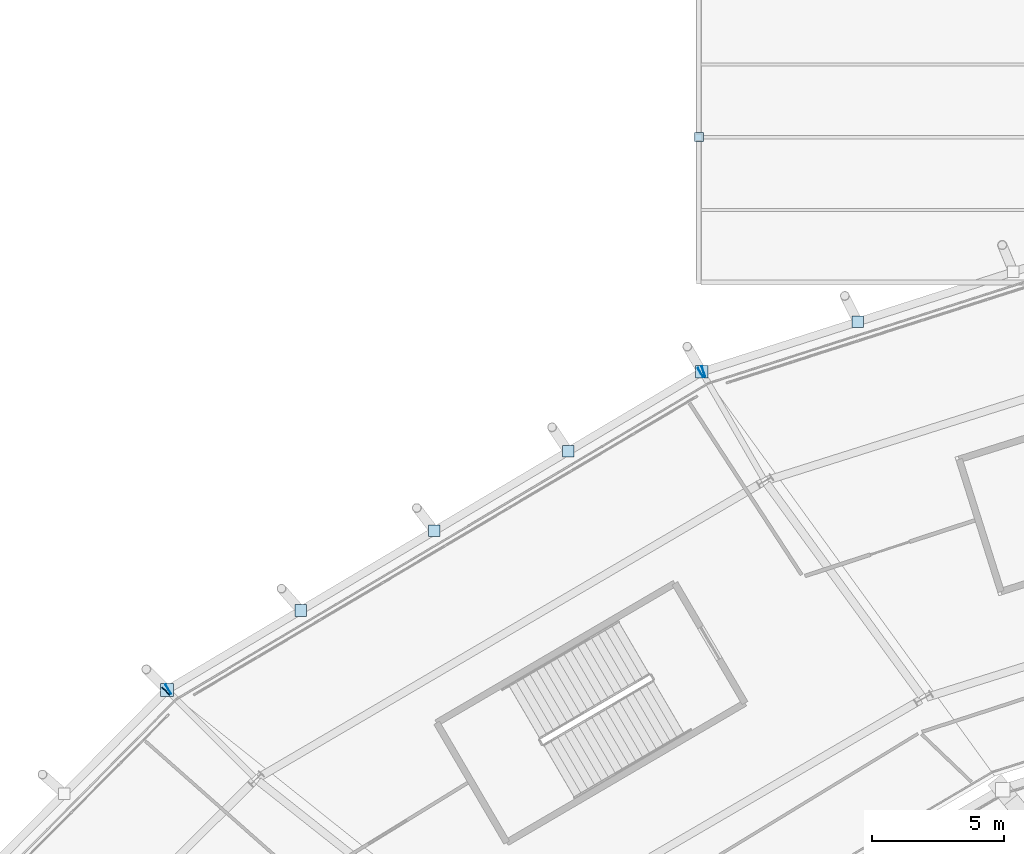
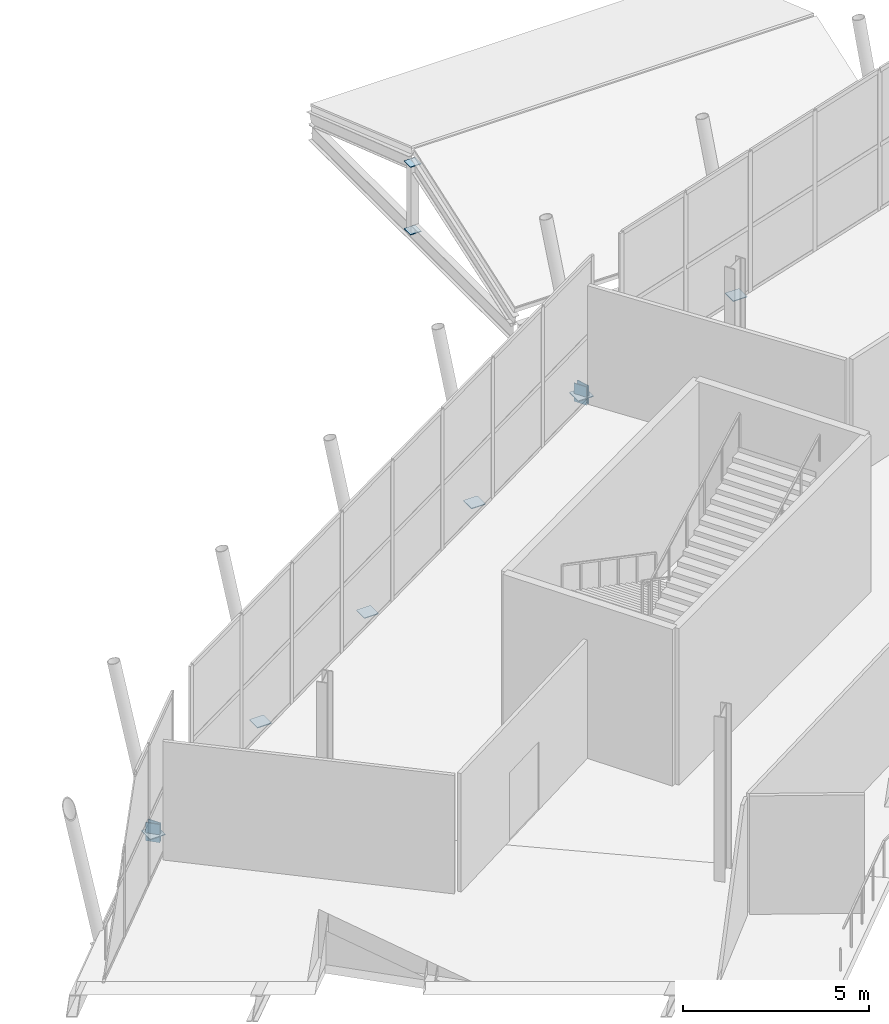
# One storey, part 89 of 126: 12 plates.
"""IFC4 building model written with IfcOpenShell, lengths in metres."""

from ifc_helpers import new_model, si_unit, direction, frame, origin, origin_2d, place, context, subcontext, project, spatial, rectangle, extrude, material, layer, layer_set, type_object, element, save


model = new_model("IFC4")

# Units and contexts
model_context = context("Model", 3, precision=1e-05, world=origin(), true_north=direction((0.0, 1.0)))
body_context = subcontext(model_context, "Body", "Model", "MODEL_VIEW")
ifc_project = project(units=[si_unit("LENGTHUNIT", "METRE"), si_unit("AREAUNIT", "SQUARE_METRE"), si_unit("VOLUMEUNIT", "CUBIC_METRE"), si_unit("PLANEANGLEUNIT", "RADIAN"), si_unit("MASSUNIT", "GRAM", prefix="KILO")], contexts=[model_context])

# Site, building, storey
site_placement = place(None, origin())
site = spatial("IfcSite", under=ifc_project, at=site_placement, CompositionType="ELEMENT")
building_placement = place(site_placement, origin())
building = spatial("IfcBuilding", under=site, at=building_placement, Name="Zlatoyarsky Gate Stadium", CompositionType="ELEMENT")
storey_placement = place(building_placement, frame((0.0, 0.0, 20.800048828125)))
storey = spatial("IfcBuildingStorey", under=building, at=storey_placement, Name="L04", CompositionType="ELEMENT", Elevation=20.800048828125)

# Plates
ifc_material = material(Name="Steel S355", Category="steel")
ifc_layer = layer(ifc_material, 0.02392578125)
ifc_layer_set = layer_set([ifc_layer], Name="Steel S355")
plate_type = type_object("IfcPlateType", Name="STEEL HOLLOW CHORD SPLICE SHEET 24", PredefinedType="SHEET", material=ifc_layer_set)
for number, where, z_axis, x_axis, name in (
    (1, (62.17236328125, 145.63671875, -0.85009765625), (0.0, 0.0, 1.0), (-0.952145539472, -0.305645009225, 0.0), "Hollow end cap ND-SP1 CAP-L04-SPD-07 B"),
    (2, (62.063720703125, 145.587646484375, -0.85009765625), (0.0, 0.0, 1.0), (-0.859509176685, -0.511120313815, 0.0), "Hollow end cap ND-SP1 CAP-L04-SPD-08 A"),
    (3, (41.918212890625, 133.60791015625, -0.85009765625), (0.0, 0.0, 1.0), (-0.859509176685, -0.511120313815, 0.0), "Hollow end cap ND-SP1 CAP-L04-SPD-08 B"),
):
    element("IfcPlate", number, at=place(storey_placement, frame(where, z_axis=z_axis, x_axis=x_axis)), inside=storey, type_object=plate_type, Name=name, PredefinedType="SHEET", context=body_context, shape_type="SweptSolid", body=[
        extrude(rectangle(XDim=0.02392578125, YDim=0.39990234375, at=origin_2d()), origin(), (0.0, 0.0, 1.0), 0.60009765625),
    ])
plate_1_placement = place(storey_placement, frame((62.115234375, 145.618408203125, -0.612060546875), z_axis=(0.0, 0.0, 1.0), x_axis=(1.0, 0.0, 0.0)))
element("IfcPlate", 4, at=plate_1_placement, inside=storey, type_object=plate_type, Name="Node closure plate ND-SP1 NCAP-L04-RSTR-08", PredefinedType="SHEET", context=body_context, shape_type="SweptSolid", body=[
    extrude(rectangle(XDim=0.47998046875, YDim=0.47998046875, at=origin_2d()), origin(), (0.0, 0.0, 1.0), 0.02392578125),
])
plate_2_placement = place(storey_placement, frame((41.82421875, 133.53466796875, -0.85009765625), z_axis=(0.0, 0.0, 1.0), x_axis=(-0.703590883794, -0.71060528301, 0.0)))
element("IfcPlate", 5, at=plate_2_placement, inside=storey, type_object=plate_type, Name="Hollow end cap ND-SP1 CAP-L04-SPD-09 A", PredefinedType="SHEET", context=body_context, shape_type="SweptSolid", body=[
    extrude(rectangle(XDim=0.02392578125, YDim=0.39990234375, at=origin_2d()), origin(), (0.0, 0.0, 1.0), 0.60009765625),
])
plate_3_placement = place(storey_placement, frame((41.866455078125, 133.5771484375, -0.612060546875), z_axis=(0.0, 0.0, 1.0), x_axis=(1.0, 0.0, 0.0)))
element("IfcPlate", 6, at=plate_3_placement, inside=storey, type_object=plate_type, Name="Node closure plate ND-SP1 NCAP-L04-RSTR-09", PredefinedType="SHEET", context=body_context, shape_type="SweptSolid", body=[
    extrude(rectangle(XDim=0.47998046875, YDim=0.47998046875, at=origin_2d()), origin(), (0.0, 0.0, 1.0), 0.02392578125),
])
for number, where, z_axis, x_axis, name in (
    (7, (68.01025390625, 147.5107421875, -0.56201171875), (0.0, 0.0, 1.0), (1.0, 0.0, 0.0), "Node closure plate ND-SP1 NCAP-RIB-07-3-2T"),
    (8, (57.052978515625, 142.608154296875, -0.56201171875), (0.0, 0.0, 1.0), (1.0, 0.0, 0.0), "Node closure plate ND-SP1 NCAP-RIB-08-1-2T"),
    (9, (51.990966796875, 139.597900390625, -0.56201171875), (0.0, 0.0, 1.0), (1.0, 0.0, 0.0), "Node closure plate ND-SP1 NCAP-RIB-08-2-2T"),
    (10, (46.9287109375, 136.58740234375, -0.56201171875), (0.0, 0.0, 1.0), (1.0, 0.0, 0.0), "Node closure plate ND-SP1 NCAP-RIB-08-3-2T"),
):
    element("IfcPlate", number, at=place(storey_placement, frame(where, z_axis=z_axis, x_axis=x_axis)), inside=storey, type_object=plate_type, Name=name, PredefinedType="SHEET", context=body_context, shape_type="SweptSolid", body=[
        extrude(rectangle(XDim=0.43994140625, YDim=0.43994140625, at=origin_2d()), origin(), (0.0, 0.0, 1.0), 0.02392578125),
    ])
for number, where, z_axis, x_axis, name in (
    (11, (62.0, 154.5, -0.56201171875), (0.0, 0.0, 1.0), (1.0, 0.0, 0.0), "Node closure plate ND-SP1 NCAP-KP-V2_NORTH_W-1A"),
    (12, (62.0, 154.5, 1.657958984375), (0.0, 0.0, 1.0), (1.0, 0.0, 0.0), "Node closure plate ND-SP1 NCAP-KP-V2_NORTH_W-1B"),
):
    element("IfcPlate", number, at=place(storey_placement, frame(where, z_axis=z_axis, x_axis=x_axis)), inside=storey, type_object=plate_type, Name=name, PredefinedType="SHEET", context=body_context, shape_type="SweptSolid", body=[
        extrude(rectangle(XDim=0.340087890625, YDim=0.340087890625, at=origin_2d()), origin(), (0.0, 0.0, 1.0), 0.02392578125),
    ])

save(model, "model.ifc")
